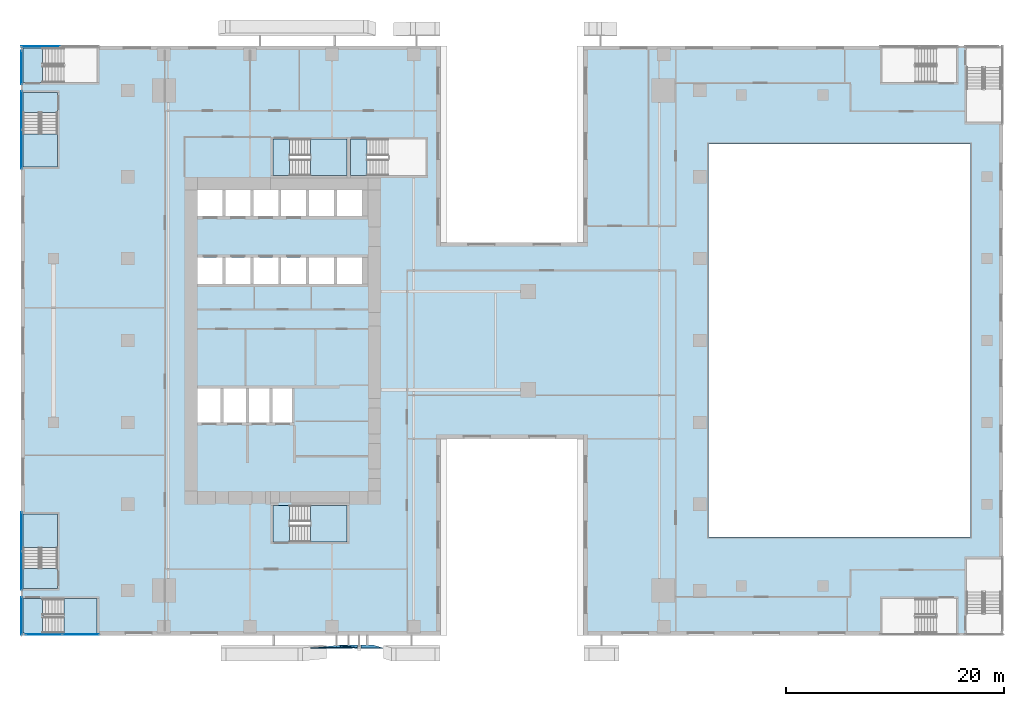
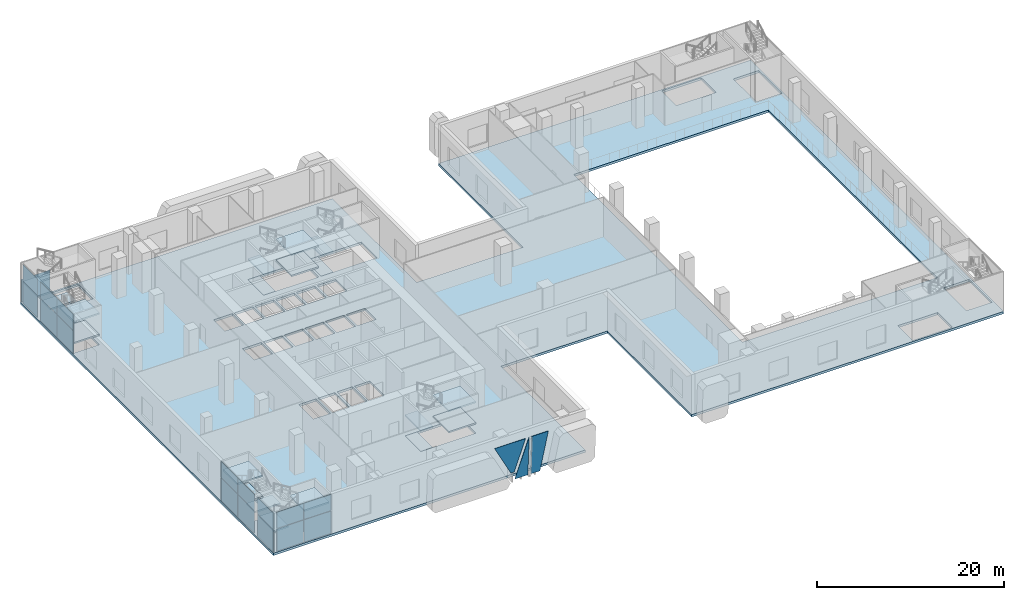
# One storey, part 8 of 23: 21 slabs, 20 plates, 13 elements without a shape of their own.
"""IFC4 building model written with IfcOpenShell, lengths in metres."""

from ifc_helpers import new_model, si_unit, direction, frame, origin, origin_2d, place, context, subcontext, project, spatial, polyline, rectangle, outline, extrude, source, transform, mapped, material, layer, layer_set, type_object, element, aggregate, save


model = new_model("IFC4")

# Units and contexts
model_context = context("Model", 3, precision=1e-05, world=origin(), true_north=direction((0.0, 1.0)))
body_context = subcontext(model_context, "Body", "Model", "MODEL_VIEW")
ifc_project = project(units=[si_unit("LENGTHUNIT", "METRE"), si_unit("AREAUNIT", "SQUARE_METRE"), si_unit("VOLUMEUNIT", "CUBIC_METRE"), si_unit("PLANEANGLEUNIT", "RADIAN"), si_unit("MASSUNIT", "GRAM", prefix="KILO")], contexts=[model_context])

# Site, building, storey
site_placement = place(None, origin())
site = spatial("IfcSite", under=ifc_project, at=site_placement, CompositionType="ELEMENT")
building_placement = place(site_placement, origin())
building = spatial("IfcBuilding", under=site, at=building_placement, Name="Khomas Fold Tower", CompositionType="ELEMENT")
storey_placement = place(building_placement, frame((0.0, 0.0, 7.5)))
storey = spatial("IfcBuildingStorey", under=building, at=storey_placement, Name="L01", CompositionType="ELEMENT", Elevation=7.5)

# Plates
ifc_material_1 = material(Name="Clear laminated glass", Category="glass")
ifc_layer_1 = layer(ifc_material_1, 0.0400390625)
ifc_layer_set_1 = layer_set([ifc_layer_1], Name="Clear laminated glass")
plate_type_1 = type_object("IfcPlateType", Name="SK-Clear laminated glass leaf", PredefinedType="SHEET", material=ifc_layer_set_1)
plate_1_placement = place(storey_placement, frame((21.807861328125, -1.16455078125, 5.050048828125), z_axis=(0.0, 0.998629673312, 0.052333312346), x_axis=(1.0, 0.0, 0.0)))
element("IfcPlate", 1, at=plate_1_placement, inside=storey, type_object=plate_type_1, Name="OUTER SKIN glass L01 SG101-1", PredefinedType="SHEET", context=body_context, shape_type="SweptSolid", body=[
    extrude(outline(polyline([(0.0, 0.0), (0.022216796875, 0.0), (0.022216796875, 5.056978540780836), (-1.58544921875, 5.056978540780836), (0.0, 0.0)])), origin(), (0.0, 0.0, -1.0), 0.0400390625),
])
plate_2_placement = place(storey_placement, frame((24.2021484375, -1.16455078125, 5.050048828125), z_axis=(0.0, 0.998629673312, 0.052333312346), x_axis=(-0.173817466989, 0.05153668879, -0.983428420312)))
element("IfcPlate", 2, at=plate_2_placement, inside=storey, type_object=plate_type_1, Name="OUTER SKIN glass L01 SG102-3", PredefinedType="SHEET", context=body_context, shape_type="SweptSolid", body=[
    extrude(outline(polyline([(0.0, 0.0), (5.135146314482811, 0.0), (5.3332371191467445, 1.122300581040475), (0.3532364734409979, 2.001291781615448), (0.0, 0.0)])), origin(), (0.0, 0.0, -1.0), 0.0400390625),
])
plate_3_placement = place(storey_placement, frame((17.58251953125, -1.16455078125, 5.050048828125), z_axis=(0.0, 0.998630769842, 0.052312384049), x_axis=(1.0, 0.0, 0.0)))
element("IfcPlate", 3, at=plate_3_placement, inside=storey, type_object=plate_type_1, Name="OUTER SKIN glass L01 SG101-4", PredefinedType="SHEET", context=body_context, shape_type="SweptSolid", body=[
    extrude(outline(polyline([(0.0, 0.0), (3.80615234375, 0.0), (2.534423828125, 4.055601880528945), (2.130126953125, 4.055601880528945), (0.0, 0.0)])), origin(), (0.0, 0.0, -1.0), 0.0400390625),
])

# Slab
ifc_material_2 = material(Name="Concrete C40/50", Category="concrete")
ifc_layer_2 = layer(ifc_material_2, 0.300048828125)
ifc_layer_set_2 = layer_set([ifc_layer_2], Name="Concrete C40/50")
slab_type_1 = type_object("IfcSlabType", Name="RC floor slab 300", PredefinedType="FLOOR", material=ifc_layer_set_2)
shared_shape_1 = source(origin(), body_context, "Body", "SweptSolid", [
    extrude(outline(polyline([(-9.0, 0.0), (29.449951171875, 0.0), (29.449951171875, 18.0), (42.550048828125, 18.0), (42.550048828125, 0.0), (81.0, 0.0), (81.0, 54.0), (42.550048828125, 54.0), (42.550048828125, 36.0), (29.449951171875, 36.0), (29.449951171875, 54.0), (-9.0, 54.0), (-9.0, 0.0)]), holes=[polyline([(-8.800048828125, 6.2099609375), (-8.800048828125, 11.10009765625), (-5.64990234375, 11.10009765625), (-5.64990234375, 6.2099609375), (-8.800048828125, 6.2099609375)]), polyline([(-8.800048828125, 42.89990234375), (-8.800048828125, 47.7900390625), (-5.64990234375, 47.7900390625), (-5.64990234375, 42.89990234375), (-8.800048828125, 42.89990234375)]), polyline([(-6.889892578125, 0.199951171875), (-6.889892578125, 3.35009765625), (-2.0, 3.35009765625), (-2.0, 0.199951171875), (-6.889892578125, 0.199951171875)]), polyline([(-6.889892578125, 50.64990234375), (-6.889892578125, 53.800048828125), (-2.0, 53.800048828125), (-2.0, 50.64990234375), (-6.889892578125, 50.64990234375)]), polyline([(7.199951171875, 19.5), (7.199951171875, 22.60009765625), (9.300048828125, 22.60009765625), (9.300048828125, 19.5), (7.199951171875, 19.5)]), polyline([(7.199951171875, 32.199951171875), (7.199951171875, 34.60009765625), (9.5, 34.60009765625), (9.5, 32.199951171875), (7.199951171875, 32.199951171875)]), polyline([(7.199951171875, 38.39990234375), (7.199951171875, 40.800048828125), (9.5, 40.800048828125), (9.5, 38.39990234375), (7.199951171875, 38.39990234375)]), polyline([(9.550048828125, 19.5), (9.550048828125, 22.60009765625), (11.64990234375, 22.60009765625), (11.64990234375, 19.5), (9.550048828125, 19.5)]), polyline([(9.75, 32.199951171875), (9.75, 34.60009765625), (12.050048828125, 34.60009765625), (12.050048828125, 32.199951171875), (9.75, 32.199951171875)]), polyline([(9.75, 38.39990234375), (9.75, 40.800048828125), (12.050048828125, 40.800048828125), (12.050048828125, 38.39990234375), (9.75, 38.39990234375)]), polyline([(11.89990234375, 19.5), (11.89990234375, 22.60009765625), (13.800048828125, 22.60009765625), (13.800048828125, 19.5), (11.89990234375, 19.5)]), polyline([(12.300048828125, 32.199951171875), (12.300048828125, 34.60009765625), (14.60009765625, 34.60009765625), (14.60009765625, 32.199951171875), (12.300048828125, 32.199951171875)]), polyline([(12.300048828125, 38.39990234375), (12.300048828125, 40.800048828125), (14.60009765625, 40.800048828125), (14.60009765625, 38.39990234375), (12.300048828125, 38.39990234375)]), polyline([(14.050048828125, 19.5), (14.050048828125, 22.60009765625), (15.949951171875, 22.60009765625), (15.949951171875, 19.5), (14.050048828125, 19.5)]), polyline([(14.10009765625, 8.550048828125), (14.10009765625, 11.89990234375), (20.89990234375, 11.89990234375), (20.89990234375, 8.550048828125), (14.10009765625, 8.550048828125)]), polyline([(14.10009765625, 42.10009765625), (14.10009765625, 45.449951171875), (20.89990234375, 45.449951171875), (20.89990234375, 42.10009765625), (14.10009765625, 42.10009765625)]), polyline([(14.85009765625, 32.199951171875), (14.85009765625, 34.60009765625), (17.14990234375, 34.60009765625), (17.14990234375, 32.199951171875), (14.85009765625, 32.199951171875)]), polyline([(14.85009765625, 38.39990234375), (14.85009765625, 40.800048828125), (17.14990234375, 40.800048828125), (17.14990234375, 38.39990234375), (14.85009765625, 38.39990234375)]), polyline([(17.39990234375, 32.199951171875), (17.39990234375, 34.60009765625), (19.699951171875, 34.60009765625), (19.699951171875, 32.199951171875), (17.39990234375, 32.199951171875)]), polyline([(17.39990234375, 38.39990234375), (17.39990234375, 40.800048828125), (19.699951171875, 40.800048828125), (19.699951171875, 38.39990234375), (17.39990234375, 38.39990234375)]), polyline([(19.949951171875, 32.199951171875), (19.949951171875, 34.60009765625), (22.25, 34.60009765625), (22.25, 32.199951171875), (19.949951171875, 32.199951171875)]), polyline([(19.949951171875, 38.39990234375), (19.949951171875, 40.800048828125), (22.25, 40.800048828125), (22.25, 38.39990234375), (19.949951171875, 38.39990234375)]), polyline([(21.199951171875, 42.10009765625), (21.199951171875, 45.449951171875), (28.10009765625, 45.449951171875), (28.10009765625, 42.10009765625), (21.199951171875, 42.10009765625)]), polyline([(54.0, 9.0), (54.0, 45.0), (78.0, 45.0), (78.0, 9.0), (54.0, 9.0)]), polyline([(69.89990234375, 0.199951171875), (69.89990234375, 3.35009765625), (74.7900390625, 3.35009765625), (74.7900390625, 0.199951171875), (69.89990234375, 0.199951171875)]), polyline([(69.89990234375, 50.64990234375), (69.89990234375, 53.800048828125), (74.7900390625, 53.800048828125), (74.7900390625, 50.64990234375), (69.89990234375, 50.64990234375)]), polyline([(77.64990234375, 2.110107421875), (77.64990234375, 7.0), (80.800048828125, 7.0), (80.800048828125, 2.110107421875), (77.64990234375, 2.110107421875)]), polyline([(77.64990234375, 47.0), (77.64990234375, 51.889892578125), (80.800048828125, 51.889892578125), (80.800048828125, 47.0), (77.64990234375, 47.0)])]), origin(), (0.0, 0.0, 1.0), 0.300048828125),
])
slab_1_placement = place(storey_placement, frame((0.0, 0.0, -0.300048828125)))
element("IfcSlab", 4, at=slab_1_placement, inside=storey, type_object=slab_type_1, Name="S-L01", PredefinedType="FLOOR", context=body_context, shape_type="MappedRepresentation", body=[
    mapped(shared_shape_1, transform((0.0, 0.0, 0.0))),
])

# Curtain wall, plates
ifc_material_3 = material(Name="Aluminium framed double glazing", Category="aluminium")
curtain_wall_type = type_object("IfcCurtainWallType", Name="Shopfront glazing PD-CW", PredefinedType="NOTDEFINED", material=ifc_material_3)
curtain_wall_1_placement = place(storey_placement, origin())
curtain_wall_1 = element("IfcCurtainWall", 5, at=curtain_wall_1_placement, inside=storey, type_object=curtain_wall_type, Name="Podium stair-tower glazing", PredefinedType="NOTDEFINED")
ifc_material_4 = material(Name="Double glazed unit")
ifc_layer_3 = layer(ifc_material_4, 0.031982421875)
ifc_layer_set_3 = layer_set([ifc_layer_3], Name="Double glazed unit")
plate_type_2 = type_object("IfcPlateType", Name="Shopfront glazing panel PD-CW-P", PredefinedType="CURTAIN_PANEL", material=ifc_layer_set_3)
shared_shape_2 = source(origin(), body_context, "Body", "SweptSolid", [
    extrude(rectangle(XDim=3.0400390625, YDim=0.031982421875, at=origin_2d()), origin(), (0.0, 0.0, 1.0), 2.909912109375),
])
plate_4_placement = place(storey_placement, frame((-8.919921875, 52.02001953125, 0.06005859375), z_axis=(0.0, 0.0, 1.0), x_axis=(0.0, -1.0, 0.0)))
plate_4 = element("IfcPlate", 6, at=plate_4_placement, type_object=plate_type_2, Name="PD-CW panel 1.1", PredefinedType="CURTAIN_PANEL", context=body_context, shape_type="MappedRepresentation", body=[
    mapped(shared_shape_2, transform((0.0, 0.0, 0.0))),
])
shared_shape_3 = source(origin(), body_context, "Body", "SweptSolid", [
    extrude(rectangle(XDim=3.0400390625, YDim=0.031982421875, at=origin_2d()), origin(), (0.0, 0.0, 1.0), 2.110107421875),
])
plate_5_placement = place(storey_placement, frame((-8.919921875, 52.02001953125, 3.02978515625), z_axis=(0.0, 0.0, 1.0), x_axis=(0.0, -1.0, 0.0)))
plate_5 = element("IfcPlate", 7, at=plate_5_placement, type_object=plate_type_2, Name="PD-CW panel 1.2", PredefinedType="CURTAIN_PANEL", context=body_context, shape_type="MappedRepresentation", body=[
    mapped(shared_shape_3, transform((0.0, 0.0, 0.0))),
])
aggregate(curtain_wall_1, [plate_4, plate_5])

curtain_wall_2_placement = place(storey_placement, origin())
curtain_wall_2 = element("IfcCurtainWall", 8, at=curtain_wall_2_placement, inside=storey, type_object=curtain_wall_type, Name="Podium stair-tower glazing", PredefinedType="NOTDEFINED")
shared_shape_4 = source(origin(), body_context, "Body", "SweptSolid", [
    extrude(rectangle(XDim=3.52001953125, YDim=0.031982421875, at=origin_2d()), origin(), (0.0, 0.0, 1.0), 2.909912109375),
])
plate_6_placement = place(storey_placement, frame((-8.919921875, 48.090087890625, 0.06005859375), z_axis=(0.0, 0.0, 1.0), x_axis=(0.0, -1.0, 0.0)))
plate_6 = element("IfcPlate", 9, at=plate_6_placement, type_object=plate_type_2, Name="PD-CW panel 1.1", PredefinedType="CURTAIN_PANEL", context=body_context, shape_type="MappedRepresentation", body=[
    mapped(shared_shape_4, transform((0.0, 0.0, 0.0))),
])
plate_7_placement = place(storey_placement, frame((-8.919921875, 44.510009765625, 0.06005859375), z_axis=(0.0, 0.0, 1.0), x_axis=(0.0, -1.0, 0.0)))
plate_7 = element("IfcPlate", 10, at=plate_7_placement, type_object=plate_type_2, Name="PD-CW panel 2.1", PredefinedType="CURTAIN_PANEL", context=body_context, shape_type="MappedRepresentation", body=[
    mapped(shared_shape_4, transform((0.0, 0.0, 0.0))),
])

curtain_wall_3_placement = place(storey_placement, origin())
curtain_wall_3 = element("IfcCurtainWall", 11, at=curtain_wall_3_placement, inside=storey, type_object=curtain_wall_type, Name="Podium stair-tower glazing", PredefinedType="NOTDEFINED")
plate_8_placement = place(storey_placement, frame((-8.919921875, 9.489990234375, 0.06005859375), z_axis=(0.0, 0.0, 1.0), x_axis=(0.0, -1.0, 0.0)))
plate_8 = element("IfcPlate", 12, at=plate_8_placement, type_object=plate_type_2, Name="PD-CW panel 1.1", PredefinedType="CURTAIN_PANEL", context=body_context, shape_type="MappedRepresentation", body=[
    mapped(shared_shape_4, transform((0.0, 0.0, 0.0))),
])
plate_9_placement = place(storey_placement, frame((-8.919921875, 5.909912109375, 0.06005859375), z_axis=(0.0, 0.0, 1.0), x_axis=(0.0, -1.0, 0.0)))
plate_9 = element("IfcPlate", 13, at=plate_9_placement, type_object=plate_type_2, Name="PD-CW panel 2.1", PredefinedType="CURTAIN_PANEL", context=body_context, shape_type="MappedRepresentation", body=[
    mapped(shared_shape_4, transform((0.0, 0.0, 0.0))),
])

# Plate
shared_shape_5 = source(origin(), body_context, "Body", "SweptSolid", [
    extrude(rectangle(XDim=3.52001953125, YDim=0.031982421875, at=origin_2d()), origin(), (0.0, 0.0, 1.0), 2.110107421875),
])
plate_10_placement = place(storey_placement, frame((-8.919921875, 48.090087890625, 3.02978515625), z_axis=(0.0, 0.0, 1.0), x_axis=(0.0, -1.0, 0.0)))
plate_10 = element("IfcPlate", 14, at=plate_10_placement, type_object=plate_type_2, Name="PD-CW panel 1.2", PredefinedType="CURTAIN_PANEL", context=body_context, shape_type="MappedRepresentation", body=[
    mapped(shared_shape_5, transform((0.0, 0.0, 0.0))),
])

plate_11_placement = place(storey_placement, frame((-8.919921875, 44.510009765625, 3.02978515625), z_axis=(0.0, 0.0, 1.0), x_axis=(0.0, -1.0, 0.0)))
plate_11 = element("IfcPlate", 15, at=plate_11_placement, type_object=plate_type_2, Name="PD-CW panel 2.2", PredefinedType="CURTAIN_PANEL", context=body_context, shape_type="MappedRepresentation", body=[
    mapped(shared_shape_5, transform((0.0, 0.0, 0.0))),
])

aggregate(curtain_wall_2, [plate_6, plate_10, plate_7, plate_11])

plate_12_placement = place(storey_placement, frame((-8.919921875, 9.489990234375, 3.02978515625), z_axis=(0.0, 0.0, 1.0), x_axis=(0.0, -1.0, 0.0)))
plate_12 = element("IfcPlate", 16, at=plate_12_placement, type_object=plate_type_2, Name="PD-CW panel 1.2", PredefinedType="CURTAIN_PANEL", context=body_context, shape_type="MappedRepresentation", body=[
    mapped(shared_shape_5, transform((0.0, 0.0, 0.0))),
])

plate_13_placement = place(storey_placement, frame((-8.919921875, 5.909912109375, 3.02978515625), z_axis=(0.0, 0.0, 1.0), x_axis=(0.0, -1.0, 0.0)))
plate_13 = element("IfcPlate", 17, at=plate_13_placement, type_object=plate_type_2, Name="PD-CW panel 2.2", PredefinedType="CURTAIN_PANEL", context=body_context, shape_type="MappedRepresentation", body=[
    mapped(shared_shape_5, transform((0.0, 0.0, 0.0))),
])

aggregate(curtain_wall_3, [plate_8, plate_12, plate_9, plate_13])

# Curtain wall, plates
curtain_wall_4_placement = place(storey_placement, origin())
curtain_wall_4 = element("IfcCurtainWall", 18, at=curtain_wall_4_placement, inside=storey, type_object=curtain_wall_type, Name="Podium stair-tower glazing", PredefinedType="NOTDEFINED")
shared_shape_6 = source(origin(), body_context, "Body", "SweptSolid", [
    extrude(rectangle(XDim=3.43994140625, YDim=0.031982421875, at=origin_2d()), origin(), (0.0, 0.0, 1.0), 2.909912109375),
])
plate_14_placement = place(storey_placement, frame((-8.919921875, 1.780029296875, 0.06005859375), z_axis=(0.0, 0.0, 1.0), x_axis=(0.0, -1.0, 0.0)))
plate_14 = element("IfcPlate", 19, at=plate_14_placement, type_object=plate_type_2, Name="PD-CW panel 1.1", PredefinedType="CURTAIN_PANEL", context=body_context, shape_type="MappedRepresentation", body=[
    mapped(shared_shape_6, transform((0.0, 0.0, 0.0))),
])
shared_shape_7 = source(origin(), body_context, "Body", "SweptSolid", [
    extrude(rectangle(XDim=3.43994140625, YDim=0.031982421875, at=origin_2d()), origin(), (0.0, 0.0, 1.0), 2.110107421875),
])
plate_15_placement = place(storey_placement, frame((-8.919921875, 1.780029296875, 3.02978515625), z_axis=(0.0, 0.0, 1.0), x_axis=(0.0, -1.0, 0.0)))
plate_15 = element("IfcPlate", 20, at=plate_15_placement, type_object=plate_type_2, Name="PD-CW panel 1.2", PredefinedType="CURTAIN_PANEL", context=body_context, shape_type="MappedRepresentation", body=[
    mapped(shared_shape_7, transform((0.0, 0.0, 0.0))),
])
aggregate(curtain_wall_4, [plate_14, plate_15])

curtain_wall_5_placement = place(storey_placement, origin())
curtain_wall_5 = element("IfcCurtainWall", 21, at=curtain_wall_5_placement, inside=storey, type_object=curtain_wall_type, Name="Podium stair-tower glazing", PredefinedType="NOTDEFINED")
shared_shape_8 = source(origin(), body_context, "Body", "SweptSolid", [
    extrude(rectangle(XDim=3.31494140625, YDim=0.031982421875, at=origin_2d()), origin(), (0.0, 0.0, 1.0), 2.909912109375),
])
plate_16_placement = place(storey_placement, frame((-6.882568359375, 0.080078125, 0.06005859375), z_axis=(0.0, 0.0, 1.0), x_axis=(1.0, 0.0, 0.0)))
plate_16 = element("IfcPlate", 22, at=plate_16_placement, type_object=plate_type_2, Name="PD-CW panel 1.1", PredefinedType="CURTAIN_PANEL", context=body_context, shape_type="MappedRepresentation", body=[
    mapped(shared_shape_8, transform((0.0, 0.0, 0.0))),
])
plate_17_placement = place(storey_placement, frame((-3.507568359375, 0.080078125, 0.06005859375), z_axis=(0.0, 0.0, 1.0), x_axis=(1.0, 0.0, 0.0)))
plate_17 = element("IfcPlate", 23, at=plate_17_placement, type_object=plate_type_2, Name="PD-CW panel 2.1", PredefinedType="CURTAIN_PANEL", context=body_context, shape_type="MappedRepresentation", body=[
    mapped(shared_shape_8, transform((0.0, 0.0, 0.0))),
])
shared_shape_9 = source(origin(), body_context, "Body", "SweptSolid", [
    extrude(rectangle(XDim=3.31494140625, YDim=0.031982421875, at=origin_2d()), origin(), (0.0, 0.0, 1.0), 2.110107421875),
])
plate_18_placement = place(storey_placement, frame((-6.882568359375, 0.080078125, 3.02978515625), z_axis=(0.0, 0.0, 1.0), x_axis=(1.0, 0.0, 0.0)))
plate_18 = element("IfcPlate", 24, at=plate_18_placement, type_object=plate_type_2, Name="PD-CW panel 1.2", PredefinedType="CURTAIN_PANEL", context=body_context, shape_type="MappedRepresentation", body=[
    mapped(shared_shape_9, transform((0.0, 0.0, 0.0))),
])
plate_19_placement = place(storey_placement, frame((-3.507568359375, 0.080078125, 3.02978515625), z_axis=(0.0, 0.0, 1.0), x_axis=(1.0, 0.0, 0.0)))
plate_19 = element("IfcPlate", 25, at=plate_19_placement, type_object=plate_type_2, Name="PD-CW panel 2.2", PredefinedType="CURTAIN_PANEL", context=body_context, shape_type="MappedRepresentation", body=[
    mapped(shared_shape_9, transform((0.0, 0.0, 0.0))),
])
aggregate(curtain_wall_5, [plate_16, plate_18, plate_17, plate_19])

# Curtain wall, plate
curtain_wall_6_placement = place(storey_placement, origin())
curtain_wall_6 = element("IfcCurtainWall", 26, at=curtain_wall_6_placement, inside=storey, type_object=curtain_wall_type, Name="Podium stair-tower glazing", PredefinedType="NOTDEFINED")
shared_shape_10 = source(origin(), body_context, "Body", "SweptSolid", [
    extrude(rectangle(XDim=3.514892578125, YDim=0.031982421875, at=origin_2d()), origin(), (0.0, 0.0, 1.0), 2.909912109375),
])
plate_20_placement = place(storey_placement, frame((-7.1826171875, 53.919921875, 0.06005859375), z_axis=(0.0, 0.0, 1.0), x_axis=(-1.0, 0.0, 0.0)))
plate_20 = element("IfcPlate", 27, at=plate_20_placement, type_object=plate_type_2, Name="PD-CW panel 2.1", PredefinedType="CURTAIN_PANEL", context=body_context, shape_type="MappedRepresentation", body=[
    mapped(shared_shape_10, transform((0.0, 0.0, 0.0))),
])
aggregate(curtain_wall_6, [plate_20])

# Stair, slabs
ifc_material_5 = material(Name="Concrete C40/50", Category="concrete")
stair_type_1 = type_object("IfcStairType", Name="Stair ST1", PredefinedType="HALF_TURN_STAIR", material=ifc_material_5)
stair_1_placement = place(storey_placement, origin())
stair_1 = element("IfcStair", 28, at=stair_1_placement, inside=storey, type_object=stair_type_1, Name="L01 ST1", PredefinedType="HALF_TURN_STAIR")
ifc_material_6 = material(Name="Concrete C40/50", Category="concrete")
ifc_layer_4 = layer(ifc_material_6, 0.199951171875)
ifc_layer_set_4 = layer_set([ifc_layer_4], Name="Concrete C40/50")
slab_type_2 = type_object("IfcSlabType", Name="Stair landing 200", PredefinedType="LANDING", material=ifc_layer_set_4)
shared_shape_11 = source(origin(), body_context, "Body", "SweptSolid", [
    extrude(outline(polyline([(14.10009765625, 42.10009765625), (15.60009765625, 42.10009765625), (15.60009765625, 45.449951171875), (14.10009765625, 45.449951171875), (14.10009765625, 42.10009765625)])), origin(), (0.0, 0.0, 1.0), 0.199951171875),
])
slab_2_placement = place(storey_placement, frame((0.0, 0.0, 2.550048828125)))
slab_2 = element("IfcSlab", 29, at=slab_2_placement, type_object=slab_type_2, Name="ST1 landing 2", PredefinedType="LANDING", context=body_context, shape_type="MappedRepresentation", body=[
    mapped(shared_shape_11, transform((0.0, 0.0, 0.0))),
])
shared_shape_12 = source(origin(), body_context, "Body", "SweptSolid", [
    extrude(outline(polyline([(17.56005859375, 42.10009765625), (20.89990234375, 42.10009765625), (20.89990234375, 45.449951171875), (17.56005859375, 45.449951171875), (17.56005859375, 42.10009765625)])), origin(), (0.0, 0.0, 1.0), 0.199951171875),
])
slab_3_placement = place(storey_placement, frame((0.0, 0.0, 1.175048828125)))
slab_3 = element("IfcSlab", 30, at=slab_3_placement, type_object=slab_type_2, Name="ST1 landing 1", PredefinedType="LANDING", context=body_context, shape_type="MappedRepresentation", body=[
    mapped(shared_shape_12, transform((0.0, 0.0, 0.0))),
])
slab_4_placement = place(storey_placement, frame((0.0, 0.0, 3.925048828125)))
slab_4 = element("IfcSlab", 31, at=slab_4_placement, type_object=slab_type_2, Name="ST1 landing 3", PredefinedType="LANDING", context=body_context, shape_type="MappedRepresentation", body=[
    mapped(shared_shape_12, transform((0.0, 0.0, 0.0))),
])
aggregate(stair_1, [slab_3, slab_2, slab_4])

# Slab
ifc_material_7 = material(Name="Concrete C40/50", Category="concrete")
ifc_layer_5 = layer(ifc_material_7, 0.300048828125)
ifc_layer_set_5 = layer_set([ifc_layer_5], Name="Concrete C40/50")
slab_type_3 = type_object("IfcSlabType", Name="Stair floor landing 300", PredefinedType="LANDING", material=ifc_layer_set_5)
shared_shape_13 = source(origin(), body_context, "Body", "SweptSolid", [
    extrude(outline(polyline([(14.10009765625, 45.449951171875), (15.60009765625, 45.449951171875), (15.60009765625, 42.10009765625), (14.10009765625, 42.10009765625), (14.10009765625, 45.449951171875)])), origin(), (0.0, 0.0, 1.0), 0.300048828125),
])
slab_5_placement = place(storey_placement, frame((0.0, 0.0, -0.300048828125)))
element("IfcSlab", 32, at=slab_5_placement, inside=storey, type_object=slab_type_3, Name="ST1 floor landing", PredefinedType="LANDING", context=body_context, shape_type="MappedRepresentation", body=[
    mapped(shared_shape_13, transform((0.0, 0.0, 0.0))),
])

# Stair, slabs
ifc_material_8 = material(Name="Concrete C40/50", Category="concrete")
stair_type_2 = type_object("IfcStairType", Name="Stair ST2", PredefinedType="HALF_TURN_STAIR", material=ifc_material_8)
stair_2_placement = place(storey_placement, origin())
stair_2 = element("IfcStair", 33, at=stair_2_placement, inside=storey, type_object=stair_type_2, Name="L01 ST2", PredefinedType="HALF_TURN_STAIR")
shared_shape_14 = source(origin(), body_context, "Body", "SweptSolid", [
    extrude(outline(polyline([(14.10009765625, 8.550048828125), (15.60009765625, 8.550048828125), (15.60009765625, 11.89990234375), (14.10009765625, 11.89990234375), (14.10009765625, 8.550048828125)])), origin(), (0.0, 0.0, 1.0), 0.199951171875),
])
slab_6_placement = place(storey_placement, frame((0.0, 0.0, 2.550048828125)))
slab_6 = element("IfcSlab", 34, at=slab_6_placement, type_object=slab_type_2, Name="ST2 landing 2", PredefinedType="LANDING", context=body_context, shape_type="MappedRepresentation", body=[
    mapped(shared_shape_14, transform((0.0, 0.0, 0.0))),
])
shared_shape_15 = source(origin(), body_context, "Body", "SweptSolid", [
    extrude(outline(polyline([(17.56005859375, 8.550048828125), (20.89990234375, 8.550048828125), (20.89990234375, 11.89990234375), (17.56005859375, 11.89990234375), (17.56005859375, 8.550048828125)])), origin(), (0.0, 0.0, 1.0), 0.199951171875),
])
slab_7_placement = place(storey_placement, frame((0.0, 0.0, 1.175048828125)))
slab_7 = element("IfcSlab", 35, at=slab_7_placement, type_object=slab_type_2, Name="ST2 landing 1", PredefinedType="LANDING", context=body_context, shape_type="MappedRepresentation", body=[
    mapped(shared_shape_15, transform((0.0, 0.0, 0.0))),
])
slab_8_placement = place(storey_placement, frame((0.0, 0.0, 3.925048828125)))
slab_8 = element("IfcSlab", 36, at=slab_8_placement, type_object=slab_type_2, Name="ST2 landing 3", PredefinedType="LANDING", context=body_context, shape_type="MappedRepresentation", body=[
    mapped(shared_shape_15, transform((0.0, 0.0, 0.0))),
])
aggregate(stair_2, [slab_7, slab_6, slab_8])

# Slab
shared_shape_16 = source(origin(), body_context, "Body", "SweptSolid", [
    extrude(outline(polyline([(14.10009765625, 11.89990234375), (15.60009765625, 11.89990234375), (15.60009765625, 8.550048828125), (14.10009765625, 8.550048828125), (14.10009765625, 11.89990234375)])), origin(), (0.0, 0.0, 1.0), 0.300048828125),
])
slab_9_placement = place(storey_placement, frame((0.0, 0.0, -0.300048828125)))
element("IfcSlab", 37, at=slab_9_placement, inside=storey, type_object=slab_type_3, Name="ST2 floor landing", PredefinedType="LANDING", context=body_context, shape_type="MappedRepresentation", body=[
    mapped(shared_shape_16, transform((0.0, 0.0, 0.0))),
])

# Stair, slab
ifc_material_9 = material(Name="Concrete C40/50", Category="concrete")
stair_type_3 = type_object("IfcStairType", Name="Stair ST3", PredefinedType="HALF_TURN_STAIR", material=ifc_material_9)
stair_3_placement = place(storey_placement, origin())
stair_3 = element("IfcStair", 38, at=stair_3_placement, inside=storey, type_object=stair_type_3, Name="L01 ST3", PredefinedType="HALF_TURN_STAIR")
shared_shape_17 = source(origin(), body_context, "Body", "SweptSolid", [
    extrude(outline(polyline([(21.199951171875, 42.10009765625), (22.699951171875, 42.10009765625), (22.699951171875, 45.449951171875), (21.199951171875, 45.449951171875), (21.199951171875, 42.10009765625)])), origin(), (0.0, 0.0, 1.0), 0.199951171875),
])
slab_10_placement = place(storey_placement, frame((0.0, 0.0, 2.550048828125)))
slab_10 = element("IfcSlab", 39, at=slab_10_placement, type_object=slab_type_2, Name="ST3 landing 2", PredefinedType="LANDING", context=body_context, shape_type="MappedRepresentation", body=[
    mapped(shared_shape_17, transform((0.0, 0.0, 0.0))),
])
aggregate(stair_3, [slab_10])

# Slab
shared_shape_18 = source(origin(), body_context, "Body", "SweptSolid", [
    extrude(outline(polyline([(21.199951171875, 45.449951171875), (22.699951171875, 45.449951171875), (22.699951171875, 42.10009765625), (21.199951171875, 42.10009765625), (21.199951171875, 45.449951171875)])), origin(), (0.0, 0.0, 1.0), 0.300048828125),
])
slab_11_placement = place(storey_placement, frame((0.0, 0.0, -0.300048828125)))
element("IfcSlab", 40, at=slab_11_placement, inside=storey, type_object=slab_type_3, Name="ST3 floor landing", PredefinedType="LANDING", context=body_context, shape_type="MappedRepresentation", body=[
    mapped(shared_shape_18, transform((0.0, 0.0, 0.0))),
])

# Stair, slabs
ifc_material_10 = material(Name="Concrete C40/50", Category="concrete")
stair_type_4 = type_object("IfcStairType", Name="Stair PS1", PredefinedType="HALF_TURN_STAIR", material=ifc_material_10)
stair_4_placement = place(storey_placement, origin())
stair_4 = element("IfcStair", 41, at=stair_4_placement, inside=storey, type_object=stair_type_4, Name="L01 PS1", PredefinedType="HALF_TURN_STAIR")
shared_shape_19 = source(origin(), body_context, "Body", "SweptSolid", [
    extrude(outline(polyline([(-8.800048828125, 0.199951171875), (-7.0, 0.199951171875), (-7.0, 3.35009765625), (-8.800048828125, 3.35009765625), (-8.800048828125, 0.199951171875)])), origin(), (0.0, 0.0, 1.0), 0.199951171875),
])
slab_12_placement = place(storey_placement, frame((0.0, 0.0, 2.550048828125)))
slab_12 = element("IfcSlab", 42, at=slab_12_placement, type_object=slab_type_2, Name="PS1 landing 2", PredefinedType="LANDING", context=body_context, shape_type="MappedRepresentation", body=[
    mapped(shared_shape_19, transform((0.0, 0.0, 0.0))),
])
shared_shape_20 = source(origin(), body_context, "Body", "SweptSolid", [
    extrude(outline(polyline([(-5.0400390625, 0.199951171875), (-2.0, 0.199951171875), (-2.0, 3.35009765625), (-5.0400390625, 3.35009765625), (-5.0400390625, 0.199951171875)])), origin(), (0.0, 0.0, 1.0), 0.199951171875),
])
slab_13_placement = place(storey_placement, frame((0.0, 0.0, 1.175048828125)))
slab_13 = element("IfcSlab", 43, at=slab_13_placement, type_object=slab_type_2, Name="PS1 landing 1", PredefinedType="LANDING", context=body_context, shape_type="MappedRepresentation", body=[
    mapped(shared_shape_20, transform((0.0, 0.0, 0.0))),
])
slab_14_placement = place(storey_placement, frame((0.0, 0.0, 3.925048828125)))
slab_14 = element("IfcSlab", 44, at=slab_14_placement, type_object=slab_type_2, Name="PS1 landing 3", PredefinedType="LANDING", context=body_context, shape_type="MappedRepresentation", body=[
    mapped(shared_shape_20, transform((0.0, 0.0, 0.0))),
])
aggregate(stair_4, [slab_13, slab_12, slab_14])

ifc_material_11 = material(Name="Concrete C40/50", Category="concrete")
stair_type_5 = type_object("IfcStairType", Name="Stair PS2", PredefinedType="HALF_TURN_STAIR", material=ifc_material_11)
stair_5_placement = place(storey_placement, origin())
stair_5 = element("IfcStair", 45, at=stair_5_placement, inside=storey, type_object=stair_type_5, Name="L01 PS2", PredefinedType="HALF_TURN_STAIR")
shared_shape_21 = source(origin(), body_context, "Body", "SweptSolid", [
    extrude(outline(polyline([(-5.64990234375, 4.300048828125), (-5.64990234375, 6.10009765625), (-8.800048828125, 6.10009765625), (-8.800048828125, 4.300048828125), (-5.64990234375, 4.300048828125)])), origin(), (0.0, 0.0, 1.0), 0.199951171875),
])
slab_15_placement = place(storey_placement, frame((0.0, 0.0, 2.550048828125)))
slab_15 = element("IfcSlab", 46, at=slab_15_placement, type_object=slab_type_2, Name="PS2 landing 2", PredefinedType="LANDING", context=body_context, shape_type="MappedRepresentation", body=[
    mapped(shared_shape_21, transform((0.0, 0.0, 0.0))),
])
shared_shape_22 = source(origin(), body_context, "Body", "SweptSolid", [
    extrude(outline(polyline([(-5.64990234375, 8.06005859375), (-5.64990234375, 11.10009765625), (-8.800048828125, 11.10009765625), (-8.800048828125, 8.06005859375), (-5.64990234375, 8.06005859375)])), origin(), (0.0, 0.0, 1.0), 0.199951171875),
])
slab_16_placement = place(storey_placement, frame((0.0, 0.0, 1.175048828125)))
slab_16 = element("IfcSlab", 47, at=slab_16_placement, type_object=slab_type_2, Name="PS2 landing 1", PredefinedType="LANDING", context=body_context, shape_type="MappedRepresentation", body=[
    mapped(shared_shape_22, transform((0.0, 0.0, 0.0))),
])
slab_17_placement = place(storey_placement, frame((0.0, 0.0, 3.925048828125)))
slab_17 = element("IfcSlab", 48, at=slab_17_placement, type_object=slab_type_2, Name="PS2 landing 3", PredefinedType="LANDING", context=body_context, shape_type="MappedRepresentation", body=[
    mapped(shared_shape_22, transform((0.0, 0.0, 0.0))),
])
aggregate(stair_5, [slab_16, slab_15, slab_17])

# Stair, slab
ifc_material_12 = material(Name="Concrete C40/50", Category="concrete")
stair_type_6 = type_object("IfcStairType", Name="Stair PS7", PredefinedType="HALF_TURN_STAIR", material=ifc_material_12)
stair_6_placement = place(storey_placement, origin())
stair_6 = element("IfcStair", 49, at=stair_6_placement, inside=storey, type_object=stair_type_6, Name="L01 PS7", PredefinedType="HALF_TURN_STAIR")
shared_shape_23 = source(origin(), body_context, "Body", "SweptSolid", [
    extrude(outline(polyline([(-8.800048828125, 50.64990234375), (-7.0, 50.64990234375), (-7.0, 53.800048828125), (-8.800048828125, 53.800048828125), (-8.800048828125, 50.64990234375)])), origin(), (0.0, 0.0, 1.0), 0.199951171875),
])
slab_18_placement = place(storey_placement, frame((0.0, 0.0, 2.550048828125)))
slab_18 = element("IfcSlab", 50, at=slab_18_placement, type_object=slab_type_2, Name="PS7 landing 2", PredefinedType="LANDING", context=body_context, shape_type="MappedRepresentation", body=[
    mapped(shared_shape_23, transform((0.0, 0.0, 0.0))),
])
aggregate(stair_6, [slab_18])

# Stair, slabs
ifc_material_13 = material(Name="Concrete C40/50", Category="concrete")
stair_type_7 = type_object("IfcStairType", Name="Stair PS8", PredefinedType="HALF_TURN_STAIR", material=ifc_material_13)
stair_7_placement = place(storey_placement, origin())
stair_7 = element("IfcStair", 51, at=stair_7_placement, inside=storey, type_object=stair_type_7, Name="L01 PS8", PredefinedType="HALF_TURN_STAIR")
shared_shape_24 = source(origin(), body_context, "Body", "SweptSolid", [
    extrude(outline(polyline([(-8.800048828125, 49.699951171875), (-8.800048828125, 47.89990234375), (-5.64990234375, 47.89990234375), (-5.64990234375, 49.699951171875), (-8.800048828125, 49.699951171875)])), origin(), (0.0, 0.0, 1.0), 0.199951171875),
])
slab_19_placement = place(storey_placement, frame((0.0, 0.0, 2.550048828125)))
slab_19 = element("IfcSlab", 52, at=slab_19_placement, type_object=slab_type_2, Name="PS8 landing 2", PredefinedType="LANDING", context=body_context, shape_type="MappedRepresentation", body=[
    mapped(shared_shape_24, transform((0.0, 0.0, 0.0))),
])
shared_shape_25 = source(origin(), body_context, "Body", "SweptSolid", [
    extrude(outline(polyline([(-8.800048828125, 45.93994140625), (-8.800048828125, 42.89990234375), (-5.64990234375, 42.89990234375), (-5.64990234375, 45.93994140625), (-8.800048828125, 45.93994140625)])), origin(), (0.0, 0.0, 1.0), 0.199951171875),
])
slab_20_placement = place(storey_placement, frame((0.0, 0.0, 1.175048828125)))
slab_20 = element("IfcSlab", 53, at=slab_20_placement, type_object=slab_type_2, Name="PS8 landing 1", PredefinedType="LANDING", context=body_context, shape_type="MappedRepresentation", body=[
    mapped(shared_shape_25, transform((0.0, 0.0, 0.0))),
])
slab_21_placement = place(storey_placement, frame((0.0, 0.0, 3.925048828125)))
slab_21 = element("IfcSlab", 54, at=slab_21_placement, type_object=slab_type_2, Name="PS8 landing 3", PredefinedType="LANDING", context=body_context, shape_type="MappedRepresentation", body=[
    mapped(shared_shape_25, transform((0.0, 0.0, 0.0))),
])
aggregate(stair_7, [slab_20, slab_19, slab_21])

save(model, "model.ifc")
